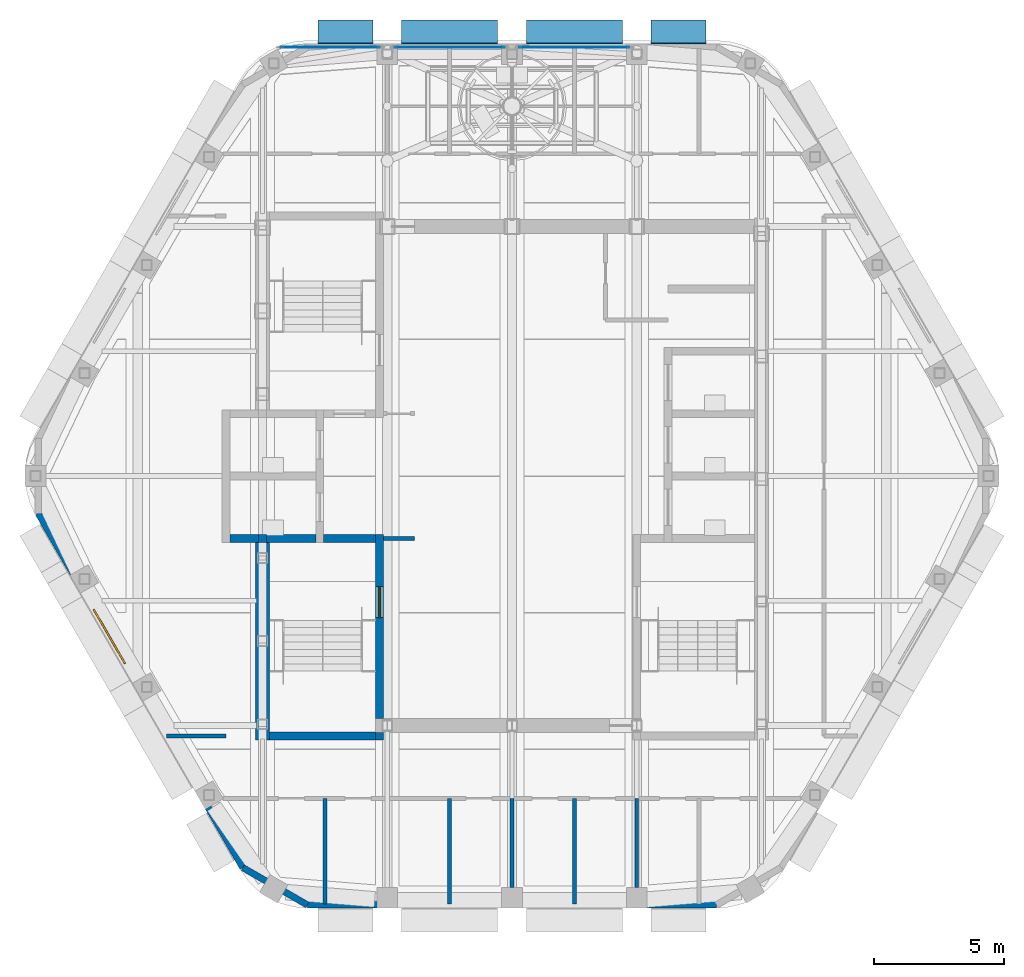
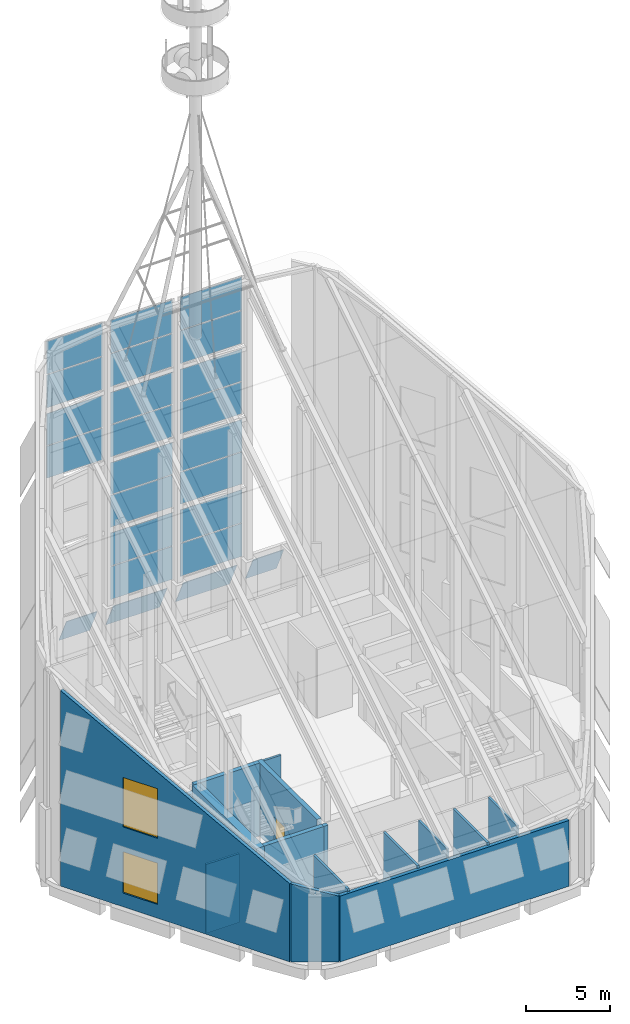
# One storey, part 9 of 25: 24 plates, 18 walls, 2 windows, 1 door, 3 openings, 10 elements without a shape of their own.
"""IFC4 building model written with IfcOpenShell, lengths in metres."""

from ifc_helpers import new_model, si_unit, direction, frame, frame_2d, origin, origin_2d, place, context, subcontext, project, spatial, polyline, rectangle, outline, extrude, material, layer, layer_set, type_object, element, fill, aggregate, save


model = new_model("IFC4")

# Units and contexts
model_context = context("Model", 3, precision=1e-05, world=origin(), true_north=direction((0.0, 1.0)))
body_context = subcontext(model_context, "Body", "Model", "MODEL_VIEW")
ifc_project = project(units=[si_unit("LENGTHUNIT", "METRE"), si_unit("AREAUNIT", "SQUARE_METRE"), si_unit("VOLUMEUNIT", "CUBIC_METRE"), si_unit("PLANEANGLEUNIT", "RADIAN"), si_unit("MASSUNIT", "GRAM", prefix="KILO")], contexts=[model_context])

# Site, building, storey
site_placement = place(None, origin())
site = spatial("IfcSite", under=ifc_project, at=site_placement, CompositionType="ELEMENT")
building_placement = place(site_placement, origin())
building = spatial("IfcBuilding", under=site, at=building_placement, Name="Kolab Exchange Tower", CompositionType="ELEMENT")
storey_placement = place(building_placement, frame((0.0, 0.0, 301.89990234375)))
storey = spatial("IfcBuildingStorey", under=building, at=storey_placement, Name="L68", CompositionType="ELEMENT", Elevation=301.89990234375)

# Curtain wall, plates
ifc_material_1 = material(Name="Aluminium EN AW-6063 T6", Category="aluminium")
curtain_wall_type = type_object("IfcCurtainWallType", Name="CROWN GLAZING CURTAIN WALL", PredefinedType="NOTDEFINED", material=ifc_material_1)
curtain_wall_1_placement = place(storey_placement, origin())
curtain_wall_1 = element("IfcCurtainWall", 1, at=curtain_wall_1_placement, inside=storey, type_object=curtain_wall_type, Name="cw/L68/crown-F1-1-3", PredefinedType="NOTDEFINED")
ifc_material_2 = material(Name="Clear insulated glazing unit", Category="glass")
ifc_layer_1 = layer(ifc_material_2, 0.033935546875)
ifc_layer_set_1 = layer_set([ifc_layer_1], Name="Clear insulated glazing unit")
plate_type_1 = type_object("IfcPlateType", Name="CROWN GLAZING GLASS PANEL 34", PredefinedType="CURTAIN_PANEL", material=ifc_layer_set_1)
plate_1_placement = place(storey_placement, frame((-6.98388671875, 16.502685546875, 15.413818359375), z_axis=(0.0, 0.0, 1.0), x_axis=(1.0, 0.0, 0.0)))
plate_1 = element("IfcPlate", 2, at=plate_1_placement, type_object=plate_type_1, Name="CW7 panel 1.1", PredefinedType="CURTAIN_PANEL", context=body_context, shape_type="SweptSolid", body=[
    extrude(rectangle(XDim=3.807861328125, YDim=0.033935546875, at=origin_2d()), origin(), (0.0, 0.0, 1.0), 2.31103515625),
])
plate_2_placement = place(storey_placement, frame((-6.98388671875, 16.502685546875, 17.78466796875), z_axis=(0.0, 0.0, 1.0), x_axis=(1.0, 0.0, 0.0)))
plate_2 = element("IfcPlate", 3, at=plate_2_placement, type_object=plate_type_1, Name="CW7 panel 1.2", PredefinedType="CURTAIN_PANEL", context=body_context, shape_type="SweptSolid", body=[
    extrude(rectangle(XDim=3.807861328125, YDim=0.033935546875, at=origin_2d()), origin(), (0.0, 0.0, 1.0), 2.31103515625),
])
aggregate(curtain_wall_1, [plate_1, plate_2])

curtain_wall_2_placement = place(storey_placement, origin())
curtain_wall_2 = element("IfcCurtainWall", 4, at=curtain_wall_2_placement, inside=storey, type_object=curtain_wall_type, Name="cw/L68/crown-F1-1-4", PredefinedType="NOTDEFINED")
plate_3_placement = place(storey_placement, frame((-6.98388671875, 16.502685546875, 20.515625), z_axis=(0.0, 0.0, 1.0), x_axis=(1.0, 0.0, 0.0)))
plate_3 = element("IfcPlate", 5, at=plate_3_placement, type_object=plate_type_1, Name="CW7 panel 1.1", PredefinedType="CURTAIN_PANEL", context=body_context, shape_type="SweptSolid", body=[
    extrude(rectangle(XDim=3.807861328125, YDim=0.033935546875, at=origin_2d()), origin(), (0.0, 0.0, 1.0), 2.385986328125),
])
plate_4_placement = place(storey_placement, frame((-6.98388671875, 16.502685546875, 22.96142578125), z_axis=(0.0, 0.0, 1.0), x_axis=(1.0, 0.0, 0.0)))
plate_4 = element("IfcPlate", 6, at=plate_4_placement, type_object=plate_type_1, Name="CW7 panel 1.2", PredefinedType="CURTAIN_PANEL", context=body_context, shape_type="SweptSolid", body=[
    extrude(rectangle(XDim=3.807861328125, YDim=0.033935546875, at=origin_2d()), origin(), (0.0, 0.0, 1.0), 2.385986328125),
])
aggregate(curtain_wall_2, [plate_3, plate_4])

curtain_wall_3_placement = place(storey_placement, origin())
curtain_wall_3 = element("IfcCurtainWall", 7, at=curtain_wall_3_placement, inside=storey, type_object=curtain_wall_type, Name="cw/L68/crown-F1-2-1", PredefinedType="NOTDEFINED")
plate_5_placement = place(storey_placement, frame((-2.39990234375, 16.502685546875, 5.06005859375), z_axis=(0.0, 0.0, 1.0), x_axis=(1.0, 0.0, 0.0)))
plate_5 = element("IfcPlate", 8, at=plate_5_placement, type_object=plate_type_1, Name="CW7 panel 1.1", PredefinedType="CURTAIN_PANEL", context=body_context, shape_type="SweptSolid", body=[
    extrude(rectangle(XDim=4.239990234375, YDim=0.033935546875, at=origin_2d()), origin(), (0.0, 0.0, 1.0), 2.385986328125),
])
plate_6_placement = place(storey_placement, frame((-2.39990234375, 16.502685546875, 7.505859375), z_axis=(0.0, 0.0, 1.0), x_axis=(1.0, 0.0, 0.0)))
plate_6 = element("IfcPlate", 9, at=plate_6_placement, type_object=plate_type_1, Name="CW7 panel 1.2", PredefinedType="CURTAIN_PANEL", context=body_context, shape_type="SweptSolid", body=[
    extrude(rectangle(XDim=4.239990234375, YDim=0.033935546875, at=origin_2d()), origin(), (0.0, 0.0, 1.0), 2.385986328125),
])
aggregate(curtain_wall_3, [plate_5, plate_6])

curtain_wall_4_placement = place(storey_placement, origin())
curtain_wall_4 = element("IfcCurtainWall", 10, at=curtain_wall_4_placement, inside=storey, type_object=curtain_wall_type, Name="cw/L68/crown-F1-2-2", PredefinedType="NOTDEFINED")
plate_7_placement = place(storey_placement, frame((-2.39990234375, 16.502685546875, 10.311767578125), z_axis=(0.0, 0.0, 1.0), x_axis=(1.0, 0.0, 0.0)))
plate_7 = element("IfcPlate", 11, at=plate_7_placement, type_object=plate_type_1, Name="CW7 panel 1.1", PredefinedType="CURTAIN_PANEL", context=body_context, shape_type="SweptSolid", body=[
    extrude(rectangle(XDim=4.239990234375, YDim=0.033935546875, at=origin_2d()), origin(), (0.0, 0.0, 1.0), 2.31103515625),
])
plate_8_placement = place(storey_placement, frame((-2.39990234375, 16.502685546875, 12.682861328125), z_axis=(0.0, 0.0, 1.0), x_axis=(1.0, 0.0, 0.0)))
plate_8 = element("IfcPlate", 12, at=plate_8_placement, type_object=plate_type_1, Name="CW7 panel 1.2", PredefinedType="CURTAIN_PANEL", context=body_context, shape_type="SweptSolid", body=[
    extrude(rectangle(XDim=4.239990234375, YDim=0.033935546875, at=origin_2d()), origin(), (0.0, 0.0, 1.0), 2.31103515625),
])
aggregate(curtain_wall_4, [plate_7, plate_8])

curtain_wall_5_placement = place(storey_placement, origin())
curtain_wall_5 = element("IfcCurtainWall", 13, at=curtain_wall_5_placement, inside=storey, type_object=curtain_wall_type, Name="cw/L68/crown-F1-2-3", PredefinedType="NOTDEFINED")
plate_9_placement = place(storey_placement, frame((-2.39990234375, 16.502685546875, 15.413818359375), z_axis=(0.0, 0.0, 1.0), x_axis=(1.0, 0.0, 0.0)))
plate_9 = element("IfcPlate", 14, at=plate_9_placement, type_object=plate_type_1, Name="CW7 panel 1.1", PredefinedType="CURTAIN_PANEL", context=body_context, shape_type="SweptSolid", body=[
    extrude(rectangle(XDim=4.239990234375, YDim=0.033935546875, at=origin_2d()), origin(), (0.0, 0.0, 1.0), 2.31103515625),
])
plate_10_placement = place(storey_placement, frame((-2.39990234375, 16.502685546875, 17.78466796875), z_axis=(0.0, 0.0, 1.0), x_axis=(1.0, 0.0, 0.0)))
plate_10 = element("IfcPlate", 15, at=plate_10_placement, type_object=plate_type_1, Name="CW7 panel 1.2", PredefinedType="CURTAIN_PANEL", context=body_context, shape_type="SweptSolid", body=[
    extrude(rectangle(XDim=4.239990234375, YDim=0.033935546875, at=origin_2d()), origin(), (0.0, 0.0, 1.0), 2.31103515625),
])
aggregate(curtain_wall_5, [plate_9, plate_10])

curtain_wall_6_placement = place(storey_placement, origin())
curtain_wall_6 = element("IfcCurtainWall", 16, at=curtain_wall_6_placement, inside=storey, type_object=curtain_wall_type, Name="cw/L68/crown-F1-2-4", PredefinedType="NOTDEFINED")
plate_11_placement = place(storey_placement, frame((-2.39990234375, 16.502685546875, 20.515625), z_axis=(0.0, 0.0, 1.0), x_axis=(1.0, 0.0, 0.0)))
plate_11 = element("IfcPlate", 17, at=plate_11_placement, type_object=plate_type_1, Name="CW7 panel 1.1", PredefinedType="CURTAIN_PANEL", context=body_context, shape_type="SweptSolid", body=[
    extrude(rectangle(XDim=4.239990234375, YDim=0.033935546875, at=origin_2d()), origin(), (0.0, 0.0, 1.0), 2.385986328125),
])
plate_12_placement = place(storey_placement, frame((-2.39990234375, 16.502685546875, 22.96142578125), z_axis=(0.0, 0.0, 1.0), x_axis=(1.0, 0.0, 0.0)))
plate_12 = element("IfcPlate", 18, at=plate_12_placement, type_object=plate_type_1, Name="CW7 panel 1.2", PredefinedType="CURTAIN_PANEL", context=body_context, shape_type="SweptSolid", body=[
    extrude(rectangle(XDim=4.239990234375, YDim=0.033935546875, at=origin_2d()), origin(), (0.0, 0.0, 1.0), 2.385986328125),
])
aggregate(curtain_wall_6, [plate_11, plate_12])

curtain_wall_7_placement = place(storey_placement, origin())
curtain_wall_7 = element("IfcCurtainWall", 19, at=curtain_wall_7_placement, inside=storey, type_object=curtain_wall_type, Name="cw/L68/crown-F1-3-1", PredefinedType="NOTDEFINED")
plate_13_placement = place(storey_placement, frame((2.39990234375, 16.502685546875, 5.06005859375), z_axis=(0.0, 0.0, 1.0), x_axis=(1.0, 0.0, 0.0)))
plate_13 = element("IfcPlate", 20, at=plate_13_placement, type_object=plate_type_1, Name="CW7 panel 1.1", PredefinedType="CURTAIN_PANEL", context=body_context, shape_type="SweptSolid", body=[
    extrude(rectangle(XDim=4.239990234375, YDim=0.033935546875, at=origin_2d()), origin(), (0.0, 0.0, 1.0), 2.385986328125),
])
plate_14_placement = place(storey_placement, frame((2.39990234375, 16.502685546875, 7.505859375), z_axis=(0.0, 0.0, 1.0), x_axis=(1.0, 0.0, 0.0)))
plate_14 = element("IfcPlate", 21, at=plate_14_placement, type_object=plate_type_1, Name="CW7 panel 1.2", PredefinedType="CURTAIN_PANEL", context=body_context, shape_type="SweptSolid", body=[
    extrude(rectangle(XDim=4.239990234375, YDim=0.033935546875, at=origin_2d()), origin(), (0.0, 0.0, 1.0), 2.385986328125),
])
aggregate(curtain_wall_7, [plate_13, plate_14])

curtain_wall_8_placement = place(storey_placement, origin())
curtain_wall_8 = element("IfcCurtainWall", 22, at=curtain_wall_8_placement, inside=storey, type_object=curtain_wall_type, Name="cw/L68/crown-F1-3-2", PredefinedType="NOTDEFINED")
plate_15_placement = place(storey_placement, frame((2.39990234375, 16.502685546875, 10.311767578125), z_axis=(0.0, 0.0, 1.0), x_axis=(1.0, 0.0, 0.0)))
plate_15 = element("IfcPlate", 23, at=plate_15_placement, type_object=plate_type_1, Name="CW7 panel 1.1", PredefinedType="CURTAIN_PANEL", context=body_context, shape_type="SweptSolid", body=[
    extrude(rectangle(XDim=4.239990234375, YDim=0.033935546875, at=origin_2d()), origin(), (0.0, 0.0, 1.0), 2.31103515625),
])
plate_16_placement = place(storey_placement, frame((2.39990234375, 16.502685546875, 12.682861328125), z_axis=(0.0, 0.0, 1.0), x_axis=(1.0, 0.0, 0.0)))
plate_16 = element("IfcPlate", 24, at=plate_16_placement, type_object=plate_type_1, Name="CW7 panel 1.2", PredefinedType="CURTAIN_PANEL", context=body_context, shape_type="SweptSolid", body=[
    extrude(rectangle(XDim=4.239990234375, YDim=0.033935546875, at=origin_2d()), origin(), (0.0, 0.0, 1.0), 2.31103515625),
])
aggregate(curtain_wall_8, [plate_15, plate_16])

curtain_wall_9_placement = place(storey_placement, origin())
curtain_wall_9 = element("IfcCurtainWall", 25, at=curtain_wall_9_placement, inside=storey, type_object=curtain_wall_type, Name="cw/L68/crown-F1-3-3", PredefinedType="NOTDEFINED")
plate_17_placement = place(storey_placement, frame((2.39990234375, 16.502685546875, 15.413818359375), z_axis=(0.0, 0.0, 1.0), x_axis=(1.0, 0.0, 0.0)))
plate_17 = element("IfcPlate", 26, at=plate_17_placement, type_object=plate_type_1, Name="CW7 panel 1.1", PredefinedType="CURTAIN_PANEL", context=body_context, shape_type="SweptSolid", body=[
    extrude(rectangle(XDim=4.239990234375, YDim=0.033935546875, at=origin_2d()), origin(), (0.0, 0.0, 1.0), 2.31103515625),
])
plate_18_placement = place(storey_placement, frame((2.39990234375, 16.502685546875, 17.78466796875), z_axis=(0.0, 0.0, 1.0), x_axis=(1.0, 0.0, 0.0)))
plate_18 = element("IfcPlate", 27, at=plate_18_placement, type_object=plate_type_1, Name="CW7 panel 1.2", PredefinedType="CURTAIN_PANEL", context=body_context, shape_type="SweptSolid", body=[
    extrude(rectangle(XDim=4.239990234375, YDim=0.033935546875, at=origin_2d()), origin(), (0.0, 0.0, 1.0), 2.31103515625),
])
aggregate(curtain_wall_9, [plate_17, plate_18])

curtain_wall_10_placement = place(storey_placement, origin())
curtain_wall_10 = element("IfcCurtainWall", 28, at=curtain_wall_10_placement, inside=storey, type_object=curtain_wall_type, Name="cw/L68/crown-F1-3-4", PredefinedType="NOTDEFINED")
plate_19_placement = place(storey_placement, frame((2.39990234375, 16.502685546875, 20.515625), z_axis=(0.0, 0.0, 1.0), x_axis=(1.0, 0.0, 0.0)))
plate_19 = element("IfcPlate", 29, at=plate_19_placement, type_object=plate_type_1, Name="CW7 panel 1.1", PredefinedType="CURTAIN_PANEL", context=body_context, shape_type="SweptSolid", body=[
    extrude(rectangle(XDim=4.239990234375, YDim=0.033935546875, at=origin_2d()), origin(), (0.0, 0.0, 1.0), 2.385986328125),
])
plate_20_placement = place(storey_placement, frame((2.39990234375, 16.502685546875, 22.96142578125), z_axis=(0.0, 0.0, 1.0), x_axis=(1.0, 0.0, 0.0)))
plate_20 = element("IfcPlate", 30, at=plate_20_placement, type_object=plate_type_1, Name="CW7 panel 1.2", PredefinedType="CURTAIN_PANEL", context=body_context, shape_type="SweptSolid", body=[
    extrude(rectangle(XDim=4.239990234375, YDim=0.033935546875, at=origin_2d()), origin(), (0.0, 0.0, 1.0), 2.385986328125),
])
aggregate(curtain_wall_10, [plate_19, plate_20])

# Plates
ifc_material_3 = material(Name="Laminated glass, clear", Category="glass")
ifc_layer_2 = layer(ifc_material_3, 0.0400390625)
ifc_layer_set_2 = layer_set([ifc_layer_2], Name="Laminated glass, clear")
plate_type_2 = type_object("IfcPlateType", Name="OUTER SKIN LAMINATED GLASS SHEET 40", PredefinedType="SHEET", material=ifc_layer_set_2)
plate_21_placement = place(storey_placement, frame((-7.468017578125, 17.54541015625, 2.527099609375), z_axis=(0.0, 0.906248928223, 0.422744461932), x_axis=(1.0, 0.0, 0.0)))
element("IfcPlate", 31, at=plate_21_placement, inside=storey, type_object=plate_type_2, Name="Outer skin", PredefinedType="SHEET", context=body_context, shape_type="SweptSolid", body=[
    extrude(outline(polyline([(0.0, 0.0), (2.117919921875, 0.0), (2.117919921875, -2.085401173196479), (0.0, -2.085401173196479), (0.0, 0.0)])), origin(), (0.0, 0.0, -1.0), 0.0400390625),
])
for number, where, z_axis, x_axis, name in (
    (32, (-4.25, 17.54541015625, 2.527099609375), (0.0, 0.906248928223, 0.422744461932), (1.0, 0.0, 0.0), "Outer skin"),
    (33, (0.550048828125, 17.54541015625, 2.527099609375), (0.0, 0.906248928223, 0.422744461932), (1.0, 0.0, 0.0), "Outer skin"),
):
    element("IfcPlate", number, at=place(storey_placement, frame(where, z_axis=z_axis, x_axis=x_axis)), inside=storey, type_object=plate_type_2, Name=name, PredefinedType="SHEET", context=body_context, shape_type="SweptSolid", body=[
        extrude(outline(polyline([(0.0, 0.0), (3.699951171875, 0.0), (3.699951171875, -2.085401173196479), (0.0, -2.085401173196479), (0.0, 0.0)])), origin(), (0.0, 0.0, -1.0), 0.0400390625),
    ])
plate_22_placement = place(storey_placement, frame((5.35009765625, 17.54541015625, 2.527099609375), z_axis=(0.0, 0.906248928223, 0.422744461932), x_axis=(1.0, 0.0, 0.0)))
element("IfcPlate", 34, at=plate_22_placement, inside=storey, type_object=plate_type_2, Name="Outer skin", PredefinedType="SHEET", context=body_context, shape_type="SweptSolid", body=[
    extrude(outline(polyline([(0.0, 0.0), (2.117919921875, 0.0), (2.117919921875, -2.085401173196479), (0.0, -2.085401173196479), (0.0, 0.0)])), origin(), (0.0, 0.0, -1.0), 0.0400390625),
])

# Walls
ifc_material_4 = material(Name="Concrete C50/60", Category="concrete")
ifc_layer_3 = layer(ifc_material_4, 0.550048828125)
ifc_layer_set_3 = layer_set([ifc_layer_3], Name="Concrete C50/60")
wall_type_1 = type_object("IfcWallType", Name="CORE WALL 550 C50/60", PredefinedType="SHEAR", material=ifc_layer_set_3)
wall_1_placement = place(storey_placement, frame((-9.60009765625, -10.14990234375, -0.2998046875), z_axis=(0.0, 0.0, 1.0), x_axis=(0.0, 1.0, 0.0)))
element("IfcWall", 35, at=wall_1_placement, inside=storey, type_object=wall_type_1, Name="wall/L68/core/019", PredefinedType="SHEAR", context=body_context, shape_type="SweptSolid", body=[
    extrude(rectangle(XDim=7.599853515625, YDim=0.550048828125, at=frame_2d((3.7998046875, 0.0))), origin(), (0.0, 0.0, 1.0), 5.2998046875),
])
ifc_layer_4 = layer(ifc_material_1, 0.25)
ifc_layer_set_4 = layer_set([ifc_layer_4], Name="Aluminium EN AW-6063 T6")
wall_type_2 = type_object("IfcWallType", Name="CROWN CLADDING WALL 250", PredefinedType="SOLIDWALL", material=ifc_layer_set_4)
wall_2_placement = place(storey_placement, frame((7.867919921875, -16.502685546875, 0.0), z_axis=(0.0, 0.0, 1.0), x_axis=(-1.0, 0.0, 0.0)))
element("IfcWall", 36, at=wall_2_placement, inside=storey, type_object=wall_type_2, Name="Crown cladding wall", PredefinedType="SOLIDWALL", context=body_context, shape_type="SweptSolid", body=[
    extrude(outline(polyline([(0.0, 0.0), (15.73583984375, 0.0), (15.73583984375, 4.783447265625), (0.0, 4.783447265625), (0.0, 0.0)])), frame((0.0, 0.125, 0.0), z_axis=(0.0, -1.0, 0.0), x_axis=(1.0, 0.0, 0.0)), (0.0, 0.0, 1.0), 0.25),
])
wall_3_placement = place(storey_placement, frame((-7.867919921875, -16.502685546875, 0.0), z_axis=(0.0, 0.0, 1.0), x_axis=(-0.866018712932, 0.500011588718, 0.0)))
element("IfcWall", 37, at=wall_3_placement, inside=storey, type_object=wall_type_2, Name="Crown cladding wall", PredefinedType="SOLIDWALL", context=body_context, shape_type="SweptSolid", body=[
    extrude(outline(polyline([(0.0, 0.0), (2.875, 0.0), (2.875, 5.681640625), (0.0, 4.783447265625), (0.0, 0.0)])), frame((0.0, 0.125, 0.0), z_axis=(0.0, -1.0, 0.0), x_axis=(1.0, 0.0, 0.0)), (0.0, 0.0, 1.0), 0.25),
])

# Wall, openings, windows
wall_4_placement = place(storey_placement, frame((-10.357666015625, -15.065185546875, 0.0), z_axis=(0.0, 0.0, 1.0), x_axis=(-0.500010301671, 0.86601945603, 0.0)))
wall_4 = element("IfcWall", 38, at=wall_4_placement, inside=storey, type_object=wall_type_2, Name="Crown cladding wall", PredefinedType="SOLIDWALL", context=body_context, shape_type="SweptSolid", body=[
    extrude(outline(polyline([(0.0, 0.0), (15.736083984375, 0.0), (15.73583984375, 14.197265625), (0.0, 5.681640625), (0.0, 0.0)])), frame((0.0, 0.125, 0.0), z_axis=(0.0, -1.0, 0.0), x_axis=(1.0, 0.0, 0.0)), (0.0, 0.0, 1.0), 0.25),
])
opening_1_placement = place(wall_4_placement, frame((9.06787109375, 0.0, 5.800048828125)))
opening_1 = element("IfcOpeningElement", 39, at=opening_1_placement, cuts=wall_4, Name="Opening W9-007", PredefinedType="OPENING", context=body_context, shape_type="SweptSolid", body=[
    extrude(rectangle(XDim=2.39990234375, YDim=3.60009765625, at=frame_2d((1.199951171875, 1.800048828125))), frame((0.0, 0.135009765625, 0.0), z_axis=(0.0, -1.0, 0.0), x_axis=(1.0, 0.0, 0.0)), (0.0, 0.0, 1.0), 0.27001953125),
])
opening_2_placement = place(wall_4_placement, frame((9.06787109375, 0.0, 1.0)))
opening_2 = element("IfcOpeningElement", 40, at=opening_2_placement, cuts=wall_4, Name="Opening W10-010", PredefinedType="OPENING", context=body_context, shape_type="SweptSolid", body=[
    extrude(rectangle(XDim=2.39990234375, YDim=3.0, at=frame_2d((1.199951171875, 1.5))), frame((0.0, 0.135009765625, 0.0), z_axis=(0.0, -1.0, 0.0), x_axis=(1.0, 0.0, 0.0)), (0.0, 0.0, 1.0), 0.27001953125),
])
window_type_1 = type_object("IfcWindowType", Name="CROWN WINDOW 2400 X 3000", PartitioningType="SINGLE_PANEL", PredefinedType="WINDOW", material=ifc_material_1)
window_1_placement = place(opening_2_placement, origin())
window_1 = element("IfcWindow", 41, at=window_1_placement, inside=storey, type_object=window_type_1, Name="Crown window", OverallHeight=3.0, OverallWidth=2.39990234375, PartitioningType="SINGLE_PANEL", PredefinedType="WINDOW", context=body_context, shape_type="SweptSolid", body=[
    extrude(rectangle(XDim=2.39990234375, YDim=3.0, at=frame_2d((1.199951171875, 1.5))), frame((0.0, 0.030029296875, 0.0), z_axis=(0.0, -1.0, 0.0), x_axis=(1.0, 0.0, 0.0)), (0.0, 0.0, 1.0), 0.06005859375),
])
fill(opening_2, window_1)
window_type_2 = type_object("IfcWindowType", Name="CROWN WINDOW 2400 X 3600", PartitioningType="SINGLE_PANEL", PredefinedType="WINDOW", material=ifc_material_1)
window_2_placement = place(opening_1_placement, origin())
window_2 = element("IfcWindow", 42, at=window_2_placement, inside=storey, type_object=window_type_2, Name="Crown window", OverallHeight=3.60009765625, OverallWidth=2.39990234375, PartitioningType="SINGLE_PANEL", PredefinedType="WINDOW", context=body_context, shape_type="SweptSolid", body=[
    extrude(rectangle(XDim=2.39990234375, YDim=3.60009765625, at=frame_2d((1.199951171875, 1.800048828125))), frame((0.0, 0.030029296875, 0.0), z_axis=(0.0, -1.0, 0.0), x_axis=(1.0, 0.0, 0.0)), (0.0, 0.0, 1.0), 0.06005859375),
])
fill(opening_1, window_2)

# Walls
ifc_layer_5 = layer(ifc_material_4, 0.300048828125)
ifc_layer_set_5 = layer_set([ifc_layer_5], Name="Concrete C50/60")
wall_type_3 = type_object("IfcWallType", Name="LIFT SHAFT WALL 300 C50/60", PredefinedType="STANDARD", material=ifc_layer_set_5)
wall_5_placement = place(storey_placement, frame((-10.85009765625, -2.39990234375, -0.2998046875), z_axis=(0.0, 0.0, 1.0), x_axis=(1.0, 0.0, 0.0)))
element("IfcWall", 43, at=wall_5_placement, inside=storey, type_object=wall_type_3, Name="wall/L68/core/003", PredefinedType="STANDARD", context=body_context, shape_type="SweptSolid", body=[
    extrude(rectangle(XDim=1.10009765625, YDim=0.300048828125, at=frame_2d((0.550048828125, 0.0))), origin(), (0.0, 0.0, 1.0), 4.699951171875),
])
ifc_material_5 = material(Name="Gypsum board", Category="gypsum")
ifc_layer_6 = layer(ifc_material_5, 0.14990234375)
ifc_layer_set_6 = layer_set([ifc_layer_6], Name="Gypsum board")
wall_type_4 = type_object("IfcWallType", Name="PARTITION 150 FIRE-RATED", PredefinedType="PARTITIONING", material=ifc_layer_set_6)
wall_6_placement = place(storey_placement, frame((4.800048828125, -15.82763671875, 0.0), z_axis=(0.0, 0.0, 1.0), x_axis=(0.0, 1.0, 0.0)))
element("IfcWall", 44, at=wall_6_placement, inside=storey, type_object=wall_type_4, Name="Partition 003", PredefinedType="PARTITIONING", context=body_context, shape_type="SweptSolid", body=[
    extrude(rectangle(XDim=3.427734375, YDim=0.14990234375, at=frame_2d((1.7138671875, 0.0))), origin(), (0.0, 0.0, 1.0), 5.0),
])
wall_7_placement = place(storey_placement, frame((2.39990234375, -16.457763671875, 0.0), z_axis=(0.0, 0.0, 1.0), x_axis=(0.0, 1.0, 0.0)))
element("IfcWall", 45, at=wall_7_placement, inside=storey, type_object=wall_type_4, Name="Partition 005", PredefinedType="PARTITIONING", context=body_context, shape_type="SweptSolid", body=[
    extrude(rectangle(XDim=4.057861328125, YDim=0.14990234375, at=frame_2d((2.02880859375, 0.0))), origin(), (0.0, 0.0, 1.0), 5.0),
])
wall_8_placement = place(storey_placement, frame((0.0, -15.82763671875, 0.0), z_axis=(0.0, 0.0, 1.0), x_axis=(0.0, 1.0, 0.0)))
element("IfcWall", 46, at=wall_8_placement, inside=storey, type_object=wall_type_4, Name="Partition 007", PredefinedType="PARTITIONING", context=body_context, shape_type="SweptSolid", body=[
    extrude(rectangle(XDim=3.427734375, YDim=0.14990234375, at=frame_2d((1.7138671875, 0.0))), origin(), (0.0, 0.0, 1.0), 5.0),
])
for number, where, z_axis, x_axis, name in (
    (47, (-2.39990234375, -16.457763671875, 0.0), (0.0, 0.0, 1.0), (0.0, 1.0, 0.0), "Partition 008"),
    (48, (-7.199951171875, -16.457763671875, 0.0), (0.0, 0.0, 1.0), (0.0, 1.0, 0.0), "Partition 011"),
):
    element("IfcWall", number, at=place(storey_placement, frame(where, z_axis=z_axis, x_axis=x_axis)), inside=storey, type_object=wall_type_4, Name=name, PredefinedType="PARTITIONING", context=body_context, shape_type="SweptSolid", body=[
        extrude(rectangle(XDim=4.057861328125, YDim=0.14990234375, at=frame_2d((2.02880859375, 0.0))), origin(), (0.0, 0.0, 1.0), 5.0),
    ])
wall_9_placement = place(storey_placement, frame((-13.287841796875, -10.0, 0.0), z_axis=(0.0, 0.0, 1.0), x_axis=(1.0, 0.0, 0.0)))
element("IfcWall", 49, at=wall_9_placement, inside=storey, type_object=wall_type_4, Name="Partition 013", PredefinedType="PARTITIONING", context=body_context, shape_type="SweptSolid", body=[
    extrude(rectangle(XDim=2.287841796875, YDim=0.14990234375, at=frame_2d((1.14404296875, 0.0))), origin(), (0.0, 0.0, 1.0), 5.0),
])
wall_10_placement = place(storey_placement, frame((-4.949951171875, -2.39990234375, 0.0), z_axis=(0.0, 0.0, 1.0), x_axis=(1.0, 0.0, 0.0)))
element("IfcWall", 50, at=wall_10_placement, inside=storey, type_object=wall_type_4, Name="Fire partition", PredefinedType="PARTITIONING", context=body_context, shape_type="SweptSolid", body=[
    extrude(rectangle(XDim=1.199951171875, YDim=0.14990234375, at=frame_2d((0.60009765625, 0.0))), origin(), (0.0, 0.0, 1.0), 5.0),
])
ifc_layer_7 = layer(ifc_material_4, 0.300048828125)
ifc_layer_set_7 = layer_set([ifc_layer_7], Name="Concrete C50/60")
wall_type_5 = type_object("IfcWallType", Name="STAIR ENCLOSURE WALL 300 C50/60", PredefinedType="STANDARD", material=ifc_layer_set_7)
wall_11_placement = place(storey_placement, frame((-9.324951171875, -10.0, -0.2998046875), z_axis=(0.0, 0.0, 1.0), x_axis=(1.0, 0.0, 0.0)))
element("IfcWall", 51, at=wall_11_placement, inside=storey, type_object=wall_type_5, Name="wall/L68/core/000", PredefinedType="STANDARD", context=body_context, shape_type="SweptSolid", body=[
    extrude(rectangle(XDim=4.074951171875, YDim=0.300048828125, at=frame_2d((2.03759765625, 0.0))), origin(), (0.0, 0.0, 1.0), 5.2998046875),
])
wall_12_placement = place(storey_placement, frame((-9.449951171875, -2.39990234375, -0.2998046875), z_axis=(0.0, 0.0, 1.0), x_axis=(1.0, 0.0, 0.0)))
element("IfcWall", 52, at=wall_12_placement, inside=storey, type_object=wall_type_5, Name="wall/L68/core/004", PredefinedType="STANDARD", context=body_context, shape_type="SweptSolid", body=[
    extrude(rectangle(XDim=1.89990234375, YDim=0.300048828125, at=frame_2d((0.949951171875, 0.0))), origin(), (0.0, 0.0, 1.0), 5.2998046875),
])
wall_13_placement = place(storey_placement, frame((-7.25, -2.39990234375, -0.2998046875), z_axis=(0.0, 0.0, 1.0), x_axis=(1.0, 0.0, 0.0)))
element("IfcWall", 53, at=wall_13_placement, inside=storey, type_object=wall_type_5, Name="wall/L68/core/005", PredefinedType="STANDARD", context=body_context, shape_type="SweptSolid", body=[
    extrude(rectangle(XDim=2.0, YDim=0.300048828125, at=frame_2d((1.0, 0.0))), origin(), (0.0, 0.0, 1.0), 5.2998046875),
])
wall_14_placement = place(storey_placement, frame((-9.60009765625, -2.550048828125, -0.2998046875), z_axis=(0.0, 0.0, 1.0), x_axis=(0.0, 1.0, 0.0)))
element("IfcWall", 54, at=wall_14_placement, inside=storey, type_object=wall_type_5, Name="wall/L68/core/020", PredefinedType="STANDARD", context=body_context, shape_type="SweptSolid", body=[
    extrude(rectangle(XDim=0.300048828125, YDim=0.300048828125, at=frame_2d((0.14990234375, 0.0))), origin(), (0.0, 0.0, 1.0), 5.2998046875),
])
wall_15_placement = place(storey_placement, frame((-5.10009765625, -10.14990234375, -0.2998046875), z_axis=(0.0, 0.0, 1.0), x_axis=(0.0, 1.0, 0.0)))
element("IfcWall", 55, at=wall_15_placement, inside=storey, type_object=wall_type_5, Name="wall/L68/core/024", PredefinedType="STANDARD", context=body_context, shape_type="SweptSolid", body=[
    extrude(rectangle(XDim=0.27490234375, YDim=0.300048828125, at=frame_2d((0.137451171875, 0.0))), origin(), (0.0, 0.0, 1.0), 5.2998046875),
])

# Wall, opening, door
wall_16_placement = place(storey_placement, frame((-5.10009765625, -9.324951171875, -0.2998046875), z_axis=(0.0, 0.0, 1.0), x_axis=(0.0, 1.0, 0.0)))
wall_16 = element("IfcWall", 56, at=wall_16_placement, inside=storey, type_object=wall_type_5, Name="wall/L68/core/025", PredefinedType="STANDARD", context=body_context, shape_type="SweptSolid", body=[
    extrude(rectangle(XDim=7.074951171875, YDim=0.300048828125, at=frame_2d((3.53759765625, 0.0))), origin(), (0.0, 0.0, 1.0), 5.2998046875),
])
opening_3_placement = place(wall_16_placement, frame((3.875, 0.0, 0.300048828125)))
opening_3 = element("IfcOpeningElement", 57, at=opening_3_placement, cuts=wall_16, Name="Opening D4-089", PredefinedType="OPENING", context=body_context, shape_type="SweptSolid", body=[
    extrude(rectangle(XDim=1.199951171875, YDim=2.10009765625, at=frame_2d((0.60009765625, 1.050048828125))), frame((0.0, 0.16015625, 0.0), z_axis=(0.0, -1.0, 0.0), x_axis=(1.0, 0.0, 0.0)), (0.0, 0.0, 1.0), 0.320068359375),
])
ifc_material_6 = material(Name="Steel S235", Category="steel")
door_type = type_object("IfcDoorType", Name="STAIR DOOR 1200 EI 120", OperationType="SINGLE_SWING_LEFT", PredefinedType="DOOR", material=ifc_material_6)
door_placement = place(opening_3_placement, origin())
door = element("IfcDoor", 58, at=door_placement, inside=storey, type_object=door_type, Name="Stair 3 door", OperationType="SINGLE_SWING_RIGHT", OverallHeight=2.10009765625, OverallWidth=1.199951171875, PredefinedType="DOOR", context=body_context, shape_type="SweptSolid", body=[
    extrude(rectangle(XDim=1.199951171875, YDim=2.10009765625, at=frame_2d((0.60009765625, 1.050048828125))), frame((0.0, 0.02490234375, 0.0), z_axis=(0.0, -1.0, 0.0), x_axis=(1.0, 0.0, 0.0)), (0.0, 0.0, 1.0), 0.050048828125),
])
fill(opening_3, door)

save(model, "model.ifc")
